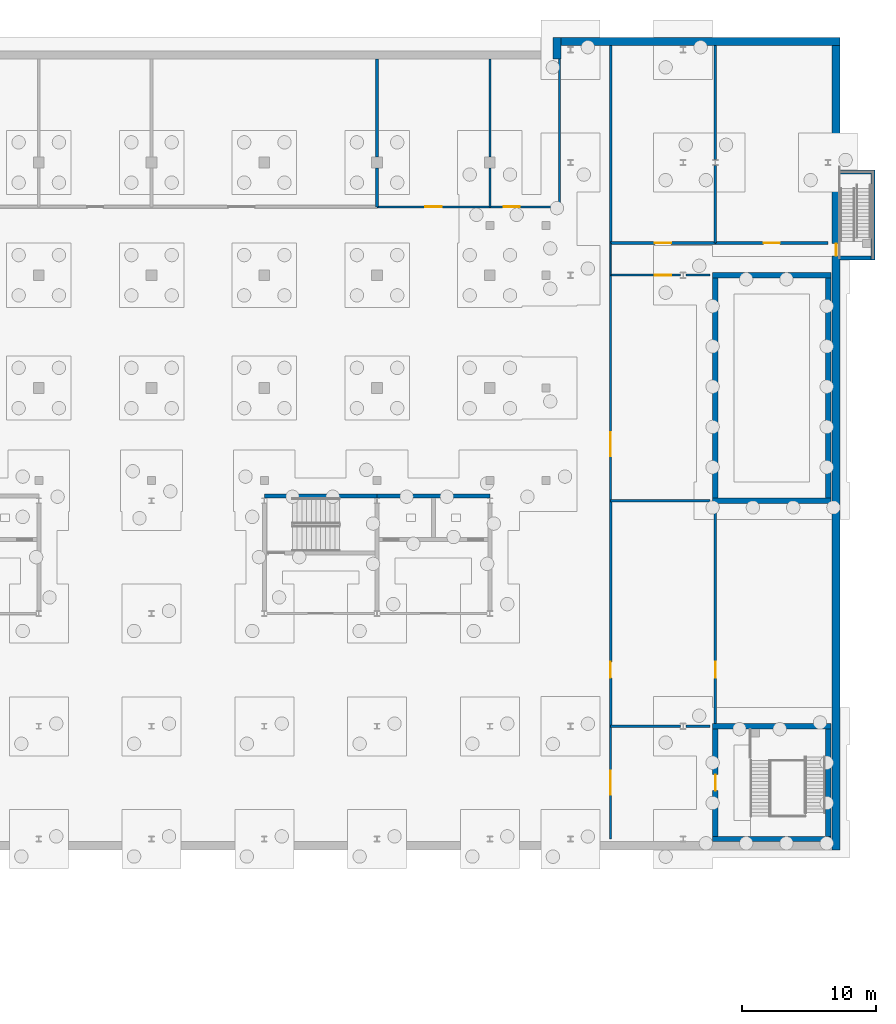
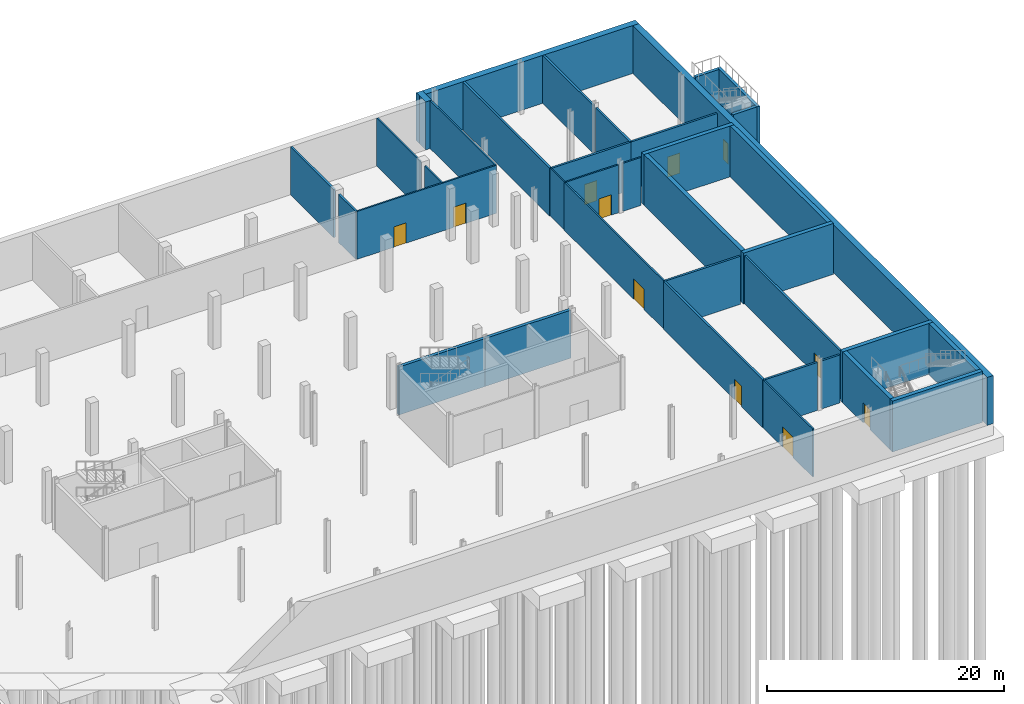
# One storey, part 21 of 29: 37 walls, 11 doors, 11 openings.
"""IFC4 building model written with IfcOpenShell, lengths in metres."""

from ifc_helpers import new_model, si_unit, direction, frame, frame_2d, origin, place, context, subcontext, project, spatial, rectangle, extrude, material, layer, layer_set, type_object, element, fill, save


model = new_model("IFC4")

# Units and contexts
model_context = context("Model", 3, precision=1e-05, world=origin(), true_north=direction((0.0, 1.0)))
body_context = subcontext(model_context, "Body", "Model", "MODEL_VIEW")
ifc_project = project(units=[si_unit("LENGTHUNIT", "METRE"), si_unit("AREAUNIT", "SQUARE_METRE"), si_unit("VOLUMEUNIT", "CUBIC_METRE"), si_unit("PLANEANGLEUNIT", "RADIAN"), si_unit("MASSUNIT", "GRAM", prefix="KILO")], contexts=[model_context])

# Site, building, storey
site_placement = place(None, origin())
site = spatial("IfcSite", under=ifc_project, at=site_placement, CompositionType="ELEMENT")
building_placement = place(site_placement, origin())
building = spatial("IfcBuilding", under=site, at=building_placement, Name="Cresset Court Congress Hotel", CompositionType="ELEMENT")
storey_placement = place(building_placement, frame((0.0, 0.0, -5.39990234375)))
storey = spatial("IfcBuildingStorey", under=building, at=storey_placement, Name="B1", CompositionType="ELEMENT", Elevation=-5.39990234375)

# Wall
ifc_material_1 = material(Name="Gypsum board partition")
ifc_layer_1 = layer(ifc_material_1, 0.10009765625)
ifc_layer_set_1 = layer_set([ifc_layer_1], Name="Basement partition 100")
wall_type_1 = type_object("IfcWallType", Name="Basement partition 100", PredefinedType="PARTITIONING", material=ifc_layer_set_1)
wall_1_placement = place(storey_placement, frame((160.199951171875, 42.0, 0.0), z_axis=(0.0, 0.0, 1.0), x_axis=(0.0, 1.0, 0.0)))
element("IfcWall", 1, at=wall_1_placement, inside=storey, type_object=wall_type_1, Name="S.wall.B1.P049", PredefinedType="PARTITIONING", context=body_context, shape_type="SweptSolid", body=[
    extrude(rectangle(XDim=2.39990234375, YDim=0.10009765625, at=frame_2d((1.199951171875, 0.0))), origin(), (0.0, 0.0, 1.0), 4.949951171875),
])

# Wall, opening, door
ifc_material_2 = material(Name="Concrete masonry", Category="masonry")
ifc_layer_2 = layer(ifc_material_2, 0.14990234375)
ifc_layer_set_2 = layer_set([ifc_layer_2], Name="Basement partition 150")
wall_type_2 = type_object("IfcWallType", Name="Basement partition 150", PredefinedType="PARTITIONING", material=ifc_layer_set_2)
wall_2_placement = place(storey_placement, frame((160.199951171875, 42.0, 0.0), z_axis=(0.0, 0.0, 1.0), x_axis=(1.0, 0.0, 0.0)))
wall_2 = element("IfcWall", 2, at=wall_2_placement, inside=storey, type_object=wall_type_2, Name="S.wall.B1.P012", PredefinedType="PARTITIONING", context=body_context, shape_type="SweptSolid", body=[
    extrude(rectangle(XDim=5.196533203125, YDim=0.14990234375, at=frame_2d((2.59814453125, 0.0))), origin(), (0.0, 0.0, 1.0), 4.949951171875),
])
opening_1_placement = place(wall_2_placement, frame((3.300048828125, 0.0, 0.0)))
opening_1 = element("IfcOpeningElement", 3, at=opening_1_placement, cuts=wall_2, Name="Opening DS-B1-13", PredefinedType="OPENING", context=body_context, shape_type="SweptSolid", body=[
    extrude(rectangle(XDim=1.199951171875, YDim=2.10009765625, at=frame_2d((0.60009765625, 1.050048828125))), frame((0.0, 0.0849609375, 0.0), z_axis=(0.0, -1.0, 0.0), x_axis=(1.0, 0.0, 0.0)), (0.0, 0.0, 1.0), 0.169921875),
])
ifc_material_3 = material(Name="Timber", Category="wood")
door_type_1 = type_object("IfcDoorType", Name="Staff door 1200x2100", OperationType="SINGLE_SWING_RIGHT", PredefinedType="DOOR", material=ifc_material_3)
door_1_placement = place(opening_1_placement, origin())
door_1 = element("IfcDoor", 4, at=door_1_placement, inside=storey, type_object=door_type_1, Name="Door DS-B1-13", OperationType="SINGLE_SWING_RIGHT", OverallHeight=2.10009765625, OverallWidth=1.199951171875, PredefinedType="DOOR", context=body_context, shape_type="SweptSolid", body=[
    extrude(rectangle(XDim=1.199951171875, YDim=2.10009765625, at=frame_2d((0.60009765625, 1.050048828125))), frame((0.0, 0.02490234375, 0.0), z_axis=(0.0, -1.0, 0.0), x_axis=(1.0, 0.0, 0.0)), (0.0, 0.0, 1.0), 0.050048828125),
])
fill(opening_1, door_1)

# Wall
wall_3_placement = place(storey_placement, frame((165.803466796875, 42.0, 0.0), z_axis=(0.0, 0.0, 1.0), x_axis=(1.0, 0.0, 0.0)))
element("IfcWall", 5, at=wall_3_placement, inside=storey, type_object=wall_type_2, Name="S.wall.B1.P013", PredefinedType="PARTITIONING", context=body_context, shape_type="SweptSolid", body=[
    extrude(rectangle(XDim=1.796630859375, YDim=0.14990234375, at=frame_2d((0.8984375, 0.0))), origin(), (0.0, 0.0, 1.0), 4.949951171875),
])

# Wall, openings, doors
wall_4_placement = place(storey_placement, frame((142.800048828125, 47.10009765625, 0.0), z_axis=(0.0, 0.0, 1.0), x_axis=(1.0, 0.0, 0.0)))
wall_4 = element("IfcWall", 6, at=wall_4_placement, inside=storey, type_object=wall_type_2, Name="S.wall.B1.P018", PredefinedType="PARTITIONING", context=body_context, shape_type="SweptSolid", body=[
    extrude(rectangle(XDim=13.599853515625, YDim=0.14990234375, at=frame_2d((6.7998046875, 0.0))), origin(), (0.0, 0.0, 1.0), 4.949951171875),
])
opening_2_placement = place(wall_4_placement, frame((3.60009765625, 0.0, 0.0)))
opening_2 = element("IfcOpeningElement", 7, at=opening_2_placement, cuts=wall_4, Name="Opening DS-B1-26", PredefinedType="OPENING", context=body_context, shape_type="SweptSolid", body=[
    extrude(rectangle(XDim=1.199951171875, YDim=2.10009765625, at=frame_2d((0.60009765625, 1.050048828125))), frame((0.0, 0.0849609375, 0.0), z_axis=(0.0, -1.0, 0.0), x_axis=(1.0, 0.0, 0.0)), (0.0, 0.0, 1.0), 0.169921875),
])
opening_3_placement = place(wall_4_placement, frame((9.425048828125, 0.0, 0.0)))
opening_3 = element("IfcOpeningElement", 8, at=opening_3_placement, cuts=wall_4, Name="Opening DS-B1-27", PredefinedType="OPENING", context=body_context, shape_type="SweptSolid", body=[
    extrude(rectangle(XDim=1.199951171875, YDim=2.10009765625, at=frame_2d((0.60009765625, 1.050048828125))), frame((0.0, 0.0849609375, 0.0), z_axis=(0.0, -1.0, 0.0), x_axis=(1.0, 0.0, 0.0)), (0.0, 0.0, 1.0), 0.169921875),
])
ifc_material_4 = material(Name="Steel", Category="steel")
door_type_2 = type_object("IfcDoorType", Name="Store door 1200x2100", OperationType="SINGLE_SWING_LEFT", PredefinedType="DOOR", material=ifc_material_4)
door_2_placement = place(opening_2_placement, origin())
door_2 = element("IfcDoor", 9, at=door_2_placement, inside=storey, type_object=door_type_2, Name="Door DS-B1-26", OperationType="SINGLE_SWING_LEFT", OverallHeight=2.10009765625, OverallWidth=1.199951171875, PredefinedType="DOOR", context=body_context, shape_type="SweptSolid", body=[
    extrude(rectangle(XDim=1.199951171875, YDim=2.10009765625, at=frame_2d((0.60009765625, 1.050048828125))), frame((0.0, 0.02490234375, 0.0), z_axis=(0.0, -1.0, 0.0), x_axis=(1.0, 0.0, 0.0)), (0.0, 0.0, 1.0), 0.050048828125),
])
fill(opening_2, door_2)
door_3_placement = place(opening_3_placement, origin())
door_3 = element("IfcDoor", 10, at=door_3_placement, inside=storey, type_object=door_type_2, Name="Door DS-B1-27", OperationType="SINGLE_SWING_LEFT", OverallHeight=2.10009765625, OverallWidth=1.199951171875, PredefinedType="DOOR", context=body_context, shape_type="SweptSolid", body=[
    extrude(rectangle(XDim=1.199951171875, YDim=2.10009765625, at=frame_2d((0.60009765625, 1.050048828125))), frame((0.0, 0.02490234375, 0.0), z_axis=(0.0, -1.0, 0.0), x_axis=(1.0, 0.0, 0.0)), (0.0, 0.0, 1.0), 0.050048828125),
])
fill(opening_3, door_3)

# Walls
wall_5_placement = place(storey_placement, frame((151.199951171875, 47.10009765625, 0.0), z_axis=(0.0, 0.0, 1.0), x_axis=(0.0, 1.0, 0.0)))
element("IfcWall", 11, at=wall_5_placement, inside=storey, type_object=wall_type_2, Name="S.wall.B1.P043", PredefinedType="PARTITIONING", context=body_context, shape_type="SweptSolid", body=[
    extrude(rectangle(XDim=2.89990234375, YDim=0.14990234375, at=frame_2d((1.449951171875, 0.0))), origin(), (0.0, 0.0, 1.0), 4.949951171875),
])
wall_6_placement = place(storey_placement, frame((151.199951171875, 50.800048828125, 0.0), z_axis=(0.0, 0.0, 1.0), x_axis=(0.0, 1.0, 0.0)))
element("IfcWall", 12, at=wall_6_placement, inside=storey, type_object=wall_type_2, Name="S.wall.B1.P044", PredefinedType="PARTITIONING", context=body_context, shape_type="SweptSolid", body=[
    extrude(rectangle(XDim=7.300048828125, YDim=0.14990234375, at=frame_2d((3.64990234375, 0.0))), origin(), (0.0, 0.0, 1.0), 4.949951171875),
])
wall_7_placement = place(storey_placement, frame((156.39990234375, 47.10009765625, 0.0), z_axis=(0.0, 0.0, 1.0), x_axis=(0.0, 1.0, 0.0)))
element("IfcWall", 13, at=wall_7_placement, inside=storey, type_object=wall_type_2, Name="S.wall.B1.P045", PredefinedType="PARTITIONING", context=body_context, shape_type="SweptSolid", body=[
    extrude(rectangle(XDim=11.0, YDim=0.14990234375, at=frame_2d((5.5, 0.0))), origin(), (0.0, 0.0, 1.0), 4.949951171875),
])

# Wall, opening, door
wall_8_placement = place(storey_placement, frame((160.199951171875, 0.0, 0.0), z_axis=(0.0, 0.0, 1.0), x_axis=(0.0, 1.0, 0.0)))
wall_8 = element("IfcWall", 14, at=wall_8_placement, inside=storey, type_object=wall_type_2, Name="S.wall.B1.P046", PredefinedType="PARTITIONING", context=body_context, shape_type="SweptSolid", body=[
    extrude(rectangle(XDim=8.39990234375, YDim=0.14990234375, at=frame_2d((4.199951171875, 0.0))), origin(), (0.0, 0.0, 1.0), 4.949951171875),
])
opening_4_placement = place(wall_8_placement, frame((3.300048828125, 0.0, 0.0)))
opening_4 = element("IfcOpeningElement", 15, at=opening_4_placement, cuts=wall_8, Name="Opening DS-B1-01", PredefinedType="OPENING", context=body_context, shape_type="SweptSolid", body=[
    extrude(rectangle(XDim=1.800048828125, YDim=2.10009765625, at=frame_2d((0.89990234375, 1.050048828125))), frame((0.0, 0.0849609375, 0.0), z_axis=(0.0, -1.0, 0.0), x_axis=(1.0, 0.0, 0.0)), (0.0, 0.0, 1.0), 0.169921875),
])
ifc_material_5 = material(Name="Steel", Category="steel")
door_type_3 = type_object("IfcDoorType", Name="Basement lobby door 1800x2100", OperationType="DOUBLE_DOOR_SINGLE_SWING", PredefinedType="DOOR", material=ifc_material_5)
door_4_placement = place(opening_4_placement, origin())
door_4 = element("IfcDoor", 16, at=door_4_placement, inside=storey, type_object=door_type_3, Name="Door DS-B1-01", OperationType="DOUBLE_DOOR_SINGLE_SWING", OverallHeight=2.10009765625, OverallWidth=1.800048828125, PredefinedType="DOOR", context=body_context, shape_type="SweptSolid", body=[
    extrude(rectangle(XDim=1.800048828125, YDim=2.10009765625, at=frame_2d((0.89990234375, 1.050048828125))), frame((0.0, 0.02490234375, 0.0), z_axis=(0.0, -1.0, 0.0), x_axis=(1.0, 0.0, 0.0)), (0.0, 0.0, 1.0), 0.050048828125),
])
fill(opening_4, door_4)

wall_9_placement = place(storey_placement, frame((160.199951171875, 25.199951171875, 0.0), z_axis=(0.0, 0.0, 1.0), x_axis=(0.0, 1.0, 0.0)))
wall_9 = element("IfcWall", 17, at=wall_9_placement, inside=storey, type_object=wall_type_2, Name="S.wall.B1.P048", PredefinedType="PARTITIONING", context=body_context, shape_type="SweptSolid", body=[
    extrude(rectangle(XDim=16.800048828125, YDim=0.14990234375, at=frame_2d((8.39990234375, 0.0))), origin(), (0.0, 0.0, 1.0), 4.949951171875),
])
opening_5_placement = place(wall_9_placement, frame((3.300048828125, 0.0, 0.0)))
opening_5 = element("IfcOpeningElement", 18, at=opening_5_placement, cuts=wall_9, Name="Opening DS-B1-12", PredefinedType="OPENING", context=body_context, shape_type="SweptSolid", body=[
    extrude(rectangle(XDim=1.800048828125, YDim=2.10009765625, at=frame_2d((0.89990234375, 1.050048828125))), frame((0.0, 0.0849609375, 0.0), z_axis=(0.0, -1.0, 0.0), x_axis=(1.0, 0.0, 0.0)), (0.0, 0.0, 1.0), 0.169921875),
])
door_5_placement = place(opening_5_placement, origin())
door_5 = element("IfcDoor", 19, at=door_5_placement, inside=storey, type_object=door_type_3, Name="Door DS-B1-12", OperationType="DOUBLE_DOOR_SINGLE_SWING", OverallHeight=2.10009765625, OverallWidth=1.800048828125, PredefinedType="DOOR", context=body_context, shape_type="SweptSolid", body=[
    extrude(rectangle(XDim=1.800048828125, YDim=2.10009765625, at=frame_2d((0.89990234375, 1.050048828125))), frame((0.0, 0.02490234375, 0.0), z_axis=(0.0, -1.0, 0.0), x_axis=(1.0, 0.0, 0.0)), (0.0, 0.0, 1.0), 0.050048828125),
])
fill(opening_5, door_5)

ifc_material_6 = material(Name="Concrete C40", Category="concrete")
ifc_layer_3 = layer(ifc_material_6, 0.60009765625)
ifc_layer_set_3 = layer_set([ifc_layer_3], Name="Basement wall 600")
wall_type_3 = type_object("IfcWallType", Name="Basement wall 600", PredefinedType="SOLIDWALL", material=ifc_layer_set_3)
wall_10_placement = place(storey_placement, frame((177.0, -0.800048828125, 0.0), z_axis=(0.0, 0.0, 1.0), x_axis=(0.0, 1.0, 0.0)))
wall_10 = element("IfcWall", 20, at=wall_10_placement, inside=storey, type_object=wall_type_3, Name="S.wall.B1.E", PredefinedType="SOLIDWALL", context=body_context, shape_type="SweptSolid", body=[
    extrude(rectangle(XDim=60.5, YDim=0.60009765625, at=frame_2d((30.25, 0.0))), origin(), (0.0, 0.0, 1.0), 4.949951171875),
])
opening_6_placement = place(wall_10_placement, frame((44.25, 0.0, 0.0)))
opening_6 = element("IfcOpeningElement", 21, at=opening_6_placement, cuts=wall_10, Name="Opening B1A3", PredefinedType="OPENING", context=body_context, shape_type="SweptSolid", body=[
    extrude(rectangle(XDim=0.89990234375, YDim=2.10009765625, at=frame_2d((0.449951171875, 1.050048828125))), frame((0.0, 0.31005859375, 0.0), z_axis=(0.0, -1.0, 0.0), x_axis=(1.0, 0.0, 0.0)), (0.0, 0.0, 1.0), 0.6201171875),
])
ifc_material_7 = material(Name="steel", Category="steel")
door_type_4 = type_object("IfcDoorType", Name="Stair door 900x2100 FD60", OperationType="SINGLE_SWING_LEFT", PredefinedType="DOOR", material=ifc_material_7)
door_6_placement = place(opening_6_placement, origin())
door_6 = element("IfcDoor", 22, at=door_6_placement, inside=storey, type_object=door_type_4, Name="Door B1A3", OperationType="SINGLE_SWING_LEFT", OverallHeight=2.10009765625, OverallWidth=0.89990234375, PredefinedType="DOOR", context=body_context, shape_type="SweptSolid", body=[
    extrude(rectangle(XDim=0.89990234375, YDim=2.10009765625, at=frame_2d((0.449951171875, 1.050048828125))), frame((0.0, 0.02490234375, 0.0), z_axis=(0.0, -1.0, 0.0), x_axis=(1.0, 0.0, 0.0)), (0.0, 0.0, 1.0), 0.050048828125),
])
fill(opening_6, door_6)

# Walls
wall_11_placement = place(storey_placement, frame((177.300048828125, 59.39990234375, 0.0), z_axis=(0.0, 0.0, 1.0), x_axis=(-1.0, 0.0, 0.0)))
element("IfcWall", 23, at=wall_11_placement, inside=storey, type_object=wall_type_3, Name="S.wall.B1.NE", PredefinedType="SOLIDWALL", context=body_context, shape_type="SweptSolid", body=[
    extrude(rectangle(XDim=21.400146484375, YDim=0.60009765625, at=frame_2d((10.7001953125, 0.0))), origin(), (0.0, 0.0, 1.0), 4.949951171875),
])
wall_12_placement = place(storey_placement, frame((156.199951171875, 59.699951171875, 0.0), z_axis=(0.0, 0.0, 1.0), x_axis=(0.0, -1.0, 0.0)))
element("IfcWall", 24, at=wall_12_placement, inside=storey, type_object=wall_type_3, Name="S.wall.B1.NJ", PredefinedType="SOLIDWALL", context=body_context, shape_type="SweptSolid", body=[
    extrude(rectangle(XDim=1.599853515625, YDim=0.60009765625, at=frame_2d((0.7998046875, 0.0))), origin(), (0.0, 0.0, 1.0), 4.949951171875),
])
ifc_material_8 = material(Name="Concrete C50", Category="concrete")
ifc_layer_4 = layer(ifc_material_8, 0.300048828125)
ifc_layer_set_4 = layer_set([ifc_layer_4], Name="Core wall 300 Concrete C50 external")
wall_type_4 = type_object("IfcWallType", Name="Core wall 300 Concrete C50 external", PredefinedType="SHEAR", material=ifc_layer_set_4)
wall_13_placement = place(storey_placement, frame((142.800048828125, 25.550048828125, 0.0), z_axis=(0.0, 0.0, 1.0), x_axis=(1.0, 0.0, 0.0)))
element("IfcWall", 25, at=wall_13_placement, inside=storey, type_object=wall_type_4, Name="Core wall LC-B3", PredefinedType="SHEAR", context=body_context, shape_type="SweptSolid", body=[
    extrude(rectangle(XDim=8.39990234375, YDim=0.300048828125, at=frame_2d((4.199951171875, 0.0))), origin(), (0.0, 0.0, 1.0), 4.949951171875),
])
wall_14_placement = place(storey_placement, frame((134.39990234375, 25.550048828125, 0.0), z_axis=(0.0, 0.0, 1.0), x_axis=(1.0, 0.0, 0.0)))
element("IfcWall", 26, at=wall_14_placement, inside=storey, type_object=wall_type_4, Name="Core wall ST-B5", PredefinedType="SHEAR", context=body_context, shape_type="SweptSolid", body=[
    extrude(rectangle(XDim=8.400146484375, YDim=0.300048828125, at=frame_2d((4.2001953125, 0.0))), origin(), (0.0, 0.0, 1.0), 4.949951171875),
])
ifc_material_9 = material(Name="Blockwork with tiled face", Category="masonry")
ifc_layer_5 = layer(ifc_material_9, 0.199951171875)
ifc_layer_set_5 = layer_set([ifc_layer_5], Name="Kitchen wall 200")
wall_type_5 = type_object("IfcWallType", Name="Kitchen wall 200", PredefinedType="PARTITIONING", material=ifc_layer_set_5)
wall_15_placement = place(storey_placement, frame((160.199951171875, 8.39990234375, 0.0), z_axis=(0.0, 0.0, 1.0), x_axis=(1.0, 0.0, 0.0)))
element("IfcWall", 27, at=wall_15_placement, inside=storey, type_object=wall_type_5, Name="S.wall.B1.P001", PredefinedType="PARTITIONING", context=body_context, shape_type="SweptSolid", body=[
    extrude(rectangle(XDim=5.196533203125, YDim=0.199951171875, at=frame_2d((2.59814453125, 0.0))), origin(), (0.0, 0.0, 1.0), 4.949951171875),
])
wall_16_placement = place(storey_placement, frame((165.803466796875, 8.39990234375, 0.0), z_axis=(0.0, 0.0, 1.0), x_axis=(1.0, 0.0, 0.0)))
element("IfcWall", 28, at=wall_16_placement, inside=storey, type_object=wall_type_5, Name="S.wall.B1.P002", PredefinedType="PARTITIONING", context=body_context, shape_type="SweptSolid", body=[
    extrude(rectangle(XDim=1.796630859375, YDim=0.199951171875, at=frame_2d((0.8984375, 0.0))), origin(), (0.0, 0.0, 1.0), 4.949951171875),
])
wall_17_placement = place(storey_placement, frame((160.199951171875, 25.199951171875, 0.0), z_axis=(0.0, 0.0, 1.0), x_axis=(1.0, 0.0, 0.0)))
element("IfcWall", 29, at=wall_17_placement, inside=storey, type_object=wall_type_5, Name="S.wall.B1.P011", PredefinedType="PARTITIONING", context=body_context, shape_type="SweptSolid", body=[
    extrude(rectangle(XDim=7.400146484375, YDim=0.199951171875, at=frame_2d((3.7001953125, 0.0))), origin(), (0.0, 0.0, 1.0), 4.949951171875),
])

# Wall, opening, door
wall_18_placement = place(storey_placement, frame((160.199951171875, 44.39990234375, 0.0), z_axis=(0.0, 0.0, 1.0), x_axis=(1.0, 0.0, 0.0)))
wall_18 = element("IfcWall", 30, at=wall_18_placement, inside=storey, type_object=wall_type_5, Name="S.wall.B1.P014", PredefinedType="PARTITIONING", context=body_context, shape_type="SweptSolid", body=[
    extrude(rectangle(XDim=7.800048828125, YDim=0.199951171875, at=frame_2d((3.89990234375, 0.0))), origin(), (0.0, 0.0, 1.0), 4.949951171875),
])
opening_7_placement = place(wall_18_placement, frame((3.300048828125, 0.0, 0.0)))
opening_7 = element("IfcOpeningElement", 31, at=opening_7_placement, cuts=wall_18, Name="Opening DS-B1-14", PredefinedType="OPENING", context=body_context, shape_type="SweptSolid", body=[
    extrude(rectangle(XDim=1.199951171875, YDim=2.10009765625, at=frame_2d((0.60009765625, 1.050048828125))), frame((0.0, 0.10986328125, 0.0), z_axis=(0.0, -1.0, 0.0), x_axis=(1.0, 0.0, 0.0)), (0.0, 0.0, 1.0), 0.219970703125),
])
ifc_material_10 = material(Name="Stainless steel", Category="steel")
door_type_5 = type_object("IfcDoorType", Name="Kitchen door 1200x2100", OperationType="DOUBLE_DOOR_DOUBLE_SWING", PredefinedType="DOOR", material=ifc_material_10)
door_7_placement = place(opening_7_placement, origin())
door_7 = element("IfcDoor", 32, at=door_7_placement, inside=storey, type_object=door_type_5, Name="Door DS-B1-14", OperationType="DOUBLE_DOOR_DOUBLE_SWING", OverallHeight=2.10009765625, OverallWidth=1.199951171875, PredefinedType="DOOR", context=body_context, shape_type="SweptSolid", body=[
    extrude(rectangle(XDim=1.199951171875, YDim=2.10009765625, at=frame_2d((0.60009765625, 1.050048828125))), frame((0.0, 0.02490234375, 0.0), z_axis=(0.0, -1.0, 0.0), x_axis=(1.0, 0.0, 0.0)), (0.0, 0.0, 1.0), 0.050048828125),
])
fill(opening_7, door_7)

wall_19_placement = place(storey_placement, frame((168.0, 44.39990234375, 0.0), z_axis=(0.0, 0.0, 1.0), x_axis=(1.0, 0.0, 0.0)))
wall_19 = element("IfcWall", 33, at=wall_19_placement, inside=storey, type_object=wall_type_5, Name="S.wall.B1.P015", PredefinedType="PARTITIONING", context=body_context, shape_type="SweptSolid", body=[
    extrude(rectangle(XDim=8.39990234375, YDim=0.199951171875, at=frame_2d((4.199951171875, 0.0))), origin(), (0.0, 0.0, 1.0), 4.949951171875),
])
opening_8_placement = place(wall_19_placement, frame((3.60009765625, 0.0, 0.0)))
opening_8 = element("IfcOpeningElement", 34, at=opening_8_placement, cuts=wall_19, Name="Opening DS-B1-15", PredefinedType="OPENING", context=body_context, shape_type="SweptSolid", body=[
    extrude(rectangle(XDim=1.199951171875, YDim=2.10009765625, at=frame_2d((0.60009765625, 1.050048828125))), frame((0.0, 0.10986328125, 0.0), z_axis=(0.0, -1.0, 0.0), x_axis=(1.0, 0.0, 0.0)), (0.0, 0.0, 1.0), 0.219970703125),
])
door_8_placement = place(opening_8_placement, origin())
door_8 = element("IfcDoor", 35, at=door_8_placement, inside=storey, type_object=door_type_1, Name="Door DS-B1-15", OperationType="SINGLE_SWING_RIGHT", OverallHeight=2.10009765625, OverallWidth=1.199951171875, PredefinedType="DOOR", context=body_context, shape_type="SweptSolid", body=[
    extrude(rectangle(XDim=1.199951171875, YDim=2.10009765625, at=frame_2d((0.60009765625, 1.050048828125))), frame((0.0, 0.02490234375, 0.0), z_axis=(0.0, -1.0, 0.0), x_axis=(1.0, 0.0, 0.0)), (0.0, 0.0, 1.0), 0.050048828125),
])
fill(opening_8, door_8)

wall_20_placement = place(storey_placement, frame((160.199951171875, 8.39990234375, 0.0), z_axis=(0.0, 0.0, 1.0), x_axis=(0.0, 1.0, 0.0)))
wall_20 = element("IfcWall", 36, at=wall_20_placement, inside=storey, type_object=wall_type_5, Name="S.wall.B1.P047", PredefinedType="PARTITIONING", context=body_context, shape_type="SweptSolid", body=[
    extrude(rectangle(XDim=16.800048828125, YDim=0.199951171875, at=frame_2d((8.39990234375, 0.0))), origin(), (0.0, 0.0, 1.0), 4.949951171875),
])
opening_9_placement = place(wall_20_placement, frame((3.60009765625, 0.0, 0.0)))
opening_9 = element("IfcOpeningElement", 37, at=opening_9_placement, cuts=wall_20, Name="Opening DS-B1-02", PredefinedType="OPENING", context=body_context, shape_type="SweptSolid", body=[
    extrude(rectangle(XDim=1.199951171875, YDim=2.10009765625, at=frame_2d((0.60009765625, 1.050048828125))), frame((0.0, 0.10986328125, 0.0), z_axis=(0.0, -1.0, 0.0), x_axis=(1.0, 0.0, 0.0)), (0.0, 0.0, 1.0), 0.219970703125),
])
door_9_placement = place(opening_9_placement, origin())
door_9 = element("IfcDoor", 38, at=door_9_placement, inside=storey, type_object=door_type_5, Name="Door DS-B1-02", OperationType="DOUBLE_DOOR_DOUBLE_SWING", OverallHeight=2.10009765625, OverallWidth=1.199951171875, PredefinedType="DOOR", context=body_context, shape_type="SweptSolid", body=[
    extrude(rectangle(XDim=1.199951171875, YDim=2.10009765625, at=frame_2d((0.60009765625, 1.050048828125))), frame((0.0, 0.02490234375, 0.0), z_axis=(0.0, -1.0, 0.0), x_axis=(1.0, 0.0, 0.0)), (0.0, 0.0, 1.0), 0.050048828125),
])
fill(opening_9, door_9)

# Wall
wall_21_placement = place(storey_placement, frame((160.199951171875, 44.39990234375, 0.0), z_axis=(0.0, 0.0, 1.0), x_axis=(0.0, 1.0, 0.0)))
element("IfcWall", 39, at=wall_21_placement, inside=storey, type_object=wall_type_5, Name="S.wall.B1.P050", PredefinedType="PARTITIONING", context=body_context, shape_type="SweptSolid", body=[
    extrude(rectangle(XDim=14.7001953125, YDim=0.199951171875, at=frame_2d((7.35009765625, 0.0))), origin(), (0.0, 0.0, 1.0), 4.949951171875),
])

# Wall, opening, door
wall_22_placement = place(storey_placement, frame((168.0, 8.60009765625, 0.0), z_axis=(0.0, 0.0, 1.0), x_axis=(0.0, 1.0, 0.0)))
wall_22 = element("IfcWall", 40, at=wall_22_placement, inside=storey, type_object=wall_type_5, Name="S.wall.B1.P051", PredefinedType="PARTITIONING", context=body_context, shape_type="SweptSolid", body=[
    extrude(rectangle(XDim=16.39990234375, YDim=0.199951171875, at=frame_2d((8.199951171875, 0.0))), origin(), (0.0, 0.0, 1.0), 4.949951171875),
])
opening_10_placement = place(wall_22_placement, frame((3.39990234375, 0.0, 0.0)))
opening_10 = element("IfcOpeningElement", 41, at=opening_10_placement, cuts=wall_22, Name="Opening DS-B1-03", PredefinedType="OPENING", context=body_context, shape_type="SweptSolid", body=[
    extrude(rectangle(XDim=1.199951171875, YDim=2.10009765625, at=frame_2d((0.60009765625, 1.050048828125))), frame((0.0, 0.10986328125, 0.0), z_axis=(0.0, -1.0, 0.0), x_axis=(1.0, 0.0, 0.0)), (0.0, 0.0, 1.0), 0.219970703125),
])
door_10_placement = place(opening_10_placement, origin())
door_10 = element("IfcDoor", 42, at=door_10_placement, inside=storey, type_object=door_type_1, Name="Door DS-B1-03", OperationType="SINGLE_SWING_RIGHT", OverallHeight=2.10009765625, OverallWidth=1.199951171875, PredefinedType="DOOR", context=body_context, shape_type="SweptSolid", body=[
    extrude(rectangle(XDim=1.199951171875, YDim=2.10009765625, at=frame_2d((0.60009765625, 1.050048828125))), frame((0.0, 0.02490234375, 0.0), z_axis=(0.0, -1.0, 0.0), x_axis=(1.0, 0.0, 0.0)), (0.0, 0.0, 1.0), 0.050048828125),
])
fill(opening_10, door_10)

# Walls
wall_23_placement = place(storey_placement, frame((168.0, 44.39990234375, 0.0), z_axis=(0.0, 0.0, 1.0), x_axis=(0.0, 1.0, 0.0)))
element("IfcWall", 43, at=wall_23_placement, inside=storey, type_object=wall_type_5, Name="S.wall.B1.P052", PredefinedType="PARTITIONING", context=body_context, shape_type="SweptSolid", body=[
    extrude(rectangle(XDim=5.7861328125, YDim=0.199951171875, at=frame_2d((2.89306640625, 0.0))), origin(), (0.0, 0.0, 1.0), 4.949951171875),
])
wall_24_placement = place(storey_placement, frame((168.0, 50.614013671875, 0.0), z_axis=(0.0, 0.0, 1.0), x_axis=(0.0, 1.0, 0.0)))
element("IfcWall", 44, at=wall_24_placement, inside=storey, type_object=wall_type_5, Name="S.wall.B1.P053", PredefinedType="PARTITIONING", context=body_context, shape_type="SweptSolid", body=[
    extrude(rectangle(XDim=8.486083984375, YDim=0.199951171875, at=frame_2d((4.2431640625, 0.0))), origin(), (0.0, 0.0, 1.0), 4.949951171875),
])
ifc_material_11 = material(Name="Concrete C50", Category="concrete")
ifc_layer_6 = layer(ifc_material_11, 0.39990234375)
ifc_layer_set_6 = layer_set([ifc_layer_6], Name="Lift core wall 400")
wall_type_6 = type_object("IfcWallType", Name="Lift core wall 400", PredefinedType="SOLIDWALL", material=ifc_layer_set_6)
for number, where, z_axis, x_axis, name in (
    (45, (167.800048828125, 25.199951171875, 0.0), (0.0, 0.0, 1.0), (1.0, 0.0, 0.0), "A.cw.LC-A.B1.S"),
    (46, (167.800048828125, 42.0, 0.0), (0.0, 0.0, 1.0), (1.0, 0.0, 0.0), "A.cw.LC-A.B1.N"),
):
    element("IfcWall", number, at=place(storey_placement, frame(where, z_axis=z_axis, x_axis=x_axis)), inside=storey, type_object=wall_type_6, Name=name, PredefinedType="SOLIDWALL", context=body_context, shape_type="SweptSolid", body=[
        extrude(rectangle(XDim=8.800048828125, YDim=0.39990234375, at=frame_2d((4.39990234375, 0.0))), origin(), (0.0, 0.0, 1.0), 5.25),
    ])
for number, where, z_axis, x_axis, name in (
    (47, (168.0, 25.39990234375, 0.0), (0.0, 0.0, 1.0), (0.0, 1.0, 0.0), "A.cw.LC-A.B1.W"),
    (48, (176.39990234375, 25.39990234375, 0.0), (0.0, 0.0, 1.0), (0.0, 1.0, 0.0), "A.cw.LC-A.B1.E"),
):
    element("IfcWall", number, at=place(storey_placement, frame(where, z_axis=z_axis, x_axis=x_axis)), inside=storey, type_object=wall_type_6, Name=name, PredefinedType="SOLIDWALL", context=body_context, shape_type="SweptSolid", body=[
        extrude(rectangle(XDim=16.400146484375, YDim=0.39990234375, at=frame_2d((8.2001953125, 0.0))), origin(), (0.0, 0.0, 1.0), 5.25),
    ])
ifc_material_12 = material(Name="Concrete C40", Category="concrete")
ifc_layer_7 = layer(ifc_material_12, 0.300048828125)
ifc_layer_set_7 = layer_set([ifc_layer_7], Name="Light well wall 300")
wall_type_7 = type_object("IfcWallType", Name="Light well wall 300", PredefinedType="SOLIDWALL", material=ifc_layer_set_7)
for number, where, z_axis, x_axis, name in (
    (49, (177.300048828125, 43.300048828125, -0.2001953125), (0.0, 0.0, 1.0), (1.0, 0.0, 0.0), "Light well wall A3 south"),
    (50, (177.300048828125, 49.699951171875, -0.2001953125), (0.0, 0.0, 1.0), (1.0, 0.0, 0.0), "Light well wall A3 north"),
):
    element("IfcWall", number, at=place(storey_placement, frame(where, z_axis=z_axis, x_axis=x_axis)), inside=storey, type_object=wall_type_7, Name=name, PredefinedType="SOLIDWALL", context=body_context, shape_type="SweptSolid", body=[
        extrude(rectangle(XDim=2.300048828125, YDim=0.300048828125, at=frame_2d((1.14990234375, 0.0))), origin(), (0.0, 0.0, 1.0), 5.400146484375),
    ])
wall_25_placement = place(storey_placement, frame((179.75, 43.14990234375, -0.2001953125), z_axis=(0.0, 0.0, 1.0), x_axis=(0.0, 1.0, 0.0)))
element("IfcWall", 51, at=wall_25_placement, inside=storey, type_object=wall_type_7, Name="Light well wall A3 east", PredefinedType="SOLIDWALL", context=body_context, shape_type="SweptSolid", body=[
    extrude(rectangle(XDim=6.7001953125, YDim=0.300048828125, at=frame_2d((3.35009765625, 0.0))), origin(), (0.0, 0.0, 1.0), 5.400146484375),
])
ifc_material_13 = material(Name="Concrete C35", Category="concrete")
ifc_layer_8 = layer(ifc_material_13, 0.199951171875)
ifc_layer_set_8 = layer_set([ifc_layer_8], Name="Plant room wall 200")
wall_type_8 = type_object("IfcWallType", Name="Plant room wall 200", PredefinedType="PARTITIONING", material=ifc_layer_set_8)
wall_26_placement = place(storey_placement, frame((142.800048828125, 47.10009765625, 0.0), z_axis=(0.0, 0.0, 1.0), x_axis=(0.0, 1.0, 0.0)))
element("IfcWall", 52, at=wall_26_placement, inside=storey, type_object=wall_type_8, Name="S.wall.B1.P041", PredefinedType="PARTITIONING", context=body_context, shape_type="SweptSolid", body=[
    extrude(rectangle(XDim=2.89990234375, YDim=0.199951171875, at=frame_2d((1.449951171875, 0.0))), origin(), (0.0, 0.0, 1.0), 4.949951171875),
])
wall_27_placement = place(storey_placement, frame((142.800048828125, 50.800048828125, 0.0), z_axis=(0.0, 0.0, 1.0), x_axis=(0.0, 1.0, 0.0)))
element("IfcWall", 53, at=wall_27_placement, inside=storey, type_object=wall_type_8, Name="S.wall.B1.P042", PredefinedType="PARTITIONING", context=body_context, shape_type="SweptSolid", body=[
    extrude(rectangle(XDim=7.300048828125, YDim=0.199951171875, at=frame_2d((3.64990234375, 0.0))), origin(), (0.0, 0.0, 1.0), 4.949951171875),
])
ifc_material_14 = material(Name="Concrete C50", Category="concrete")
ifc_layer_9 = layer(ifc_material_14, 0.39990234375)
ifc_layer_set_9 = layer_set([ifc_layer_9], Name="Stair core wall 400")
wall_type_9 = type_object("IfcWallType", Name="Stair core wall 400", PredefinedType="SOLIDWALL", material=ifc_layer_set_9)
for number, where, z_axis, x_axis, name in (
    (54, (167.800048828125, 0.0, 0.0), (0.0, 0.0, 1.0), (1.0, 0.0, 0.0), "A.cw.ST-A1.B1.S"),
    (55, (167.800048828125, 8.39990234375, 0.0), (0.0, 0.0, 1.0), (1.0, 0.0, 0.0), "A.cw.ST-A1.B1.N"),
):
    element("IfcWall", number, at=place(storey_placement, frame(where, z_axis=z_axis, x_axis=x_axis)), inside=storey, type_object=wall_type_9, Name=name, PredefinedType="SOLIDWALL", context=body_context, shape_type="SweptSolid", body=[
        extrude(rectangle(XDim=8.800048828125, YDim=0.39990234375, at=frame_2d((4.39990234375, 0.0))), origin(), (0.0, 0.0, 1.0), 5.25),
    ])

# Wall, opening, door
wall_28_placement = place(storey_placement, frame((168.0, 0.199951171875, 0.0), z_axis=(0.0, 0.0, 1.0), x_axis=(0.0, 1.0, 0.0)))
wall_28 = element("IfcWall", 56, at=wall_28_placement, inside=storey, type_object=wall_type_9, Name="A.cw.ST-A1.B1.W", PredefinedType="SOLIDWALL", context=body_context, shape_type="SweptSolid", body=[
    extrude(rectangle(XDim=8.0, YDim=0.39990234375, at=frame_2d((4.0, 0.0))), origin(), (0.0, 0.0, 1.0), 5.25),
])
opening_11_placement = place(wall_28_placement, frame((3.39990234375, 0.0, 0.0)))
opening_11 = element("IfcOpeningElement", 57, at=opening_11_placement, cuts=wall_28, Name="Opening B1A1L", PredefinedType="OPENING", context=body_context, shape_type="SweptSolid", body=[
    extrude(rectangle(XDim=1.199951171875, YDim=2.10009765625, at=frame_2d((0.60009765625, 1.050048828125))), frame((0.0, 0.2099609375, 0.0), z_axis=(0.0, -1.0, 0.0), x_axis=(1.0, 0.0, 0.0)), (0.0, 0.0, 1.0), 0.419921875),
])
ifc_material_15 = material(Name="steel", Category="steel")
door_type_6 = type_object("IfcDoorType", Name="Lobby door 1200x2100 FD60", OperationType="SINGLE_SWING_LEFT", PredefinedType="DOOR", material=ifc_material_15)
door_11_placement = place(opening_11_placement, origin())
door_11 = element("IfcDoor", 58, at=door_11_placement, inside=storey, type_object=door_type_6, Name="Door B1A1L", OperationType="SINGLE_SWING_LEFT", OverallHeight=2.10009765625, OverallWidth=1.199951171875, PredefinedType="DOOR", context=body_context, shape_type="SweptSolid", body=[
    extrude(rectangle(XDim=1.199951171875, YDim=2.10009765625, at=frame_2d((0.60009765625, 1.050048828125))), frame((0.0, 0.02490234375, 0.0), z_axis=(0.0, -1.0, 0.0), x_axis=(1.0, 0.0, 0.0)), (0.0, 0.0, 1.0), 0.050048828125),
])
fill(opening_11, door_11)

# Wall
wall_29_placement = place(storey_placement, frame((176.39990234375, 0.199951171875, 0.0), z_axis=(0.0, 0.0, 1.0), x_axis=(0.0, 1.0, 0.0)))
element("IfcWall", 59, at=wall_29_placement, inside=storey, type_object=wall_type_9, Name="A.cw.ST-A1.B1.E", PredefinedType="SOLIDWALL", context=body_context, shape_type="SweptSolid", body=[
    extrude(rectangle(XDim=8.0, YDim=0.39990234375, at=frame_2d((4.0, 0.0))), origin(), (0.0, 0.0, 1.0), 5.25),
])

save(model, "model.ifc")
